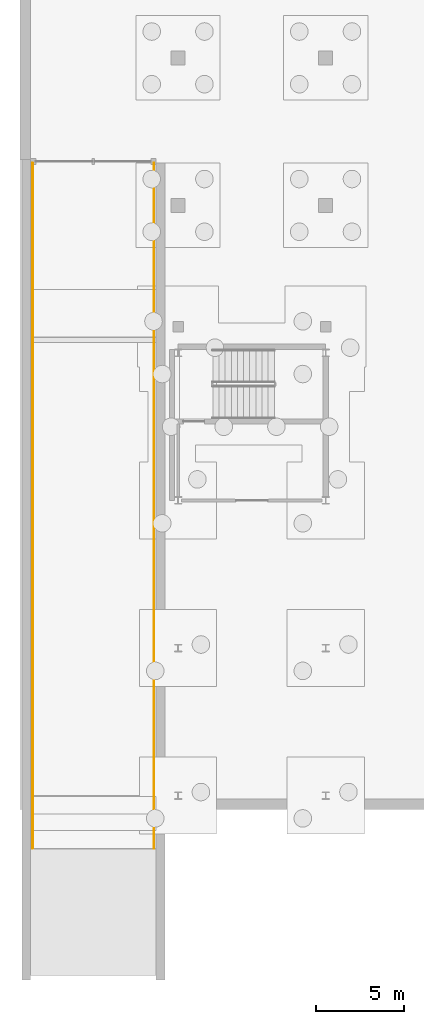
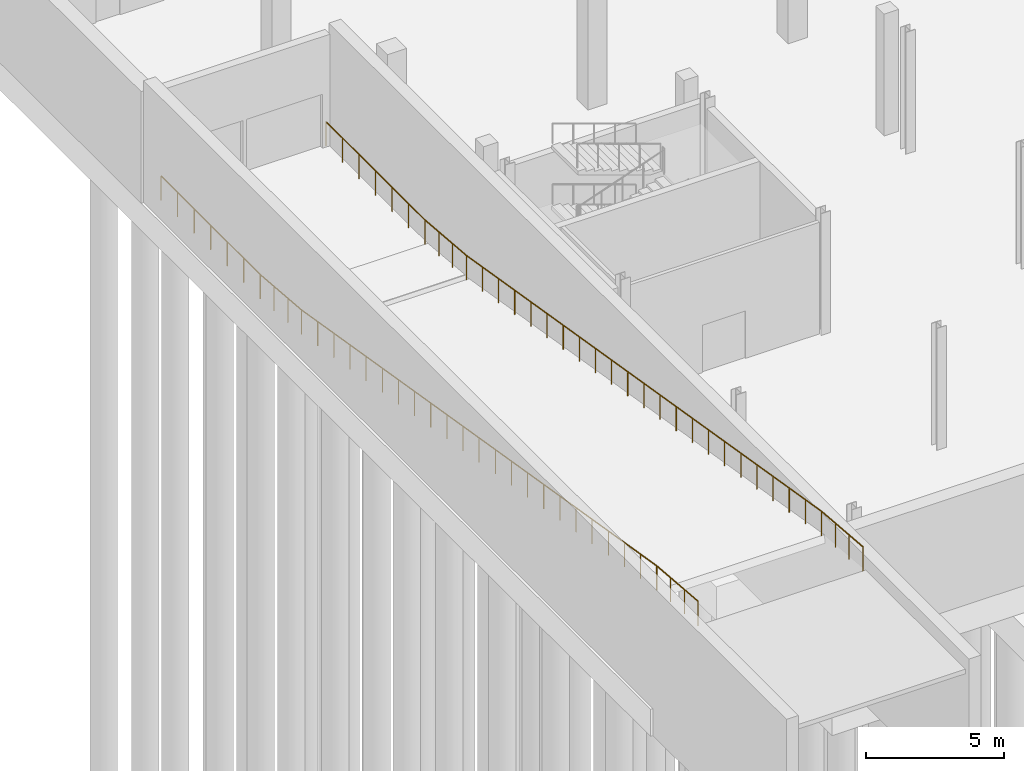
# One storey, part 24 of 29: 2 railings.
"""IFC4 building model written with IfcOpenShell, lengths in metres."""

from ifc_helpers import new_model, si_unit, direction, frame, origin, origin_2d, place, context, subcontext, project, spatial, circle, extrude, material, type_object, element, save


model = new_model("IFC4")

# Units and contexts
model_context = context("Model", 3, precision=1e-05, world=origin(), true_north=direction((0.0, 1.0)))
body_context = subcontext(model_context, "Body", "Model", "MODEL_VIEW")
ifc_project = project(units=[si_unit("LENGTHUNIT", "METRE"), si_unit("AREAUNIT", "SQUARE_METRE"), si_unit("VOLUMEUNIT", "CUBIC_METRE"), si_unit("PLANEANGLEUNIT", "RADIAN"), si_unit("MASSUNIT", "GRAM", prefix="KILO")], contexts=[model_context])

# Site, building, storey
site_placement = place(None, origin())
site = spatial("IfcSite", under=ifc_project, at=site_placement, CompositionType="ELEMENT")
building_placement = place(site_placement, origin())
building = spatial("IfcBuilding", under=site, at=building_placement, Name="Cresset Court Congress Hotel", CompositionType="ELEMENT")
storey_placement = place(building_placement, frame((0.0, 0.0, -5.39990234375)))
storey = spatial("IfcBuildingStorey", under=building, at=storey_placement, Name="B1", CompositionType="ELEMENT", Elevation=-5.39990234375)

# Railings
ifc_material = material(Name="Galvanised steel", Category="steel")
railing_type = type_object("IfcRailingType", Name="Guard 1100 steel balusters", PredefinedType="GUARDRAIL", material=ifc_material)
railing_1_placement = place(storey_placement, frame((0.1201171875, -3.0, 4.7998046875)))
element("IfcRailing", 1, at=railing_1_placement, inside=storey, type_object=railing_type, Name="Ramp guard W", PredefinedType="GUARDRAIL", context=body_context, shape_type="SweptSolid", body=[
    extrude(circle(Radius=0.02490234375, at=origin_2d()), frame((0.0, 0.0, 1.0751953125), z_axis=(0.0, 0.996545758245, -0.083045479854), x_axis=(-1.0, 0.0, 0.0)), (0.0, 0.0, 1.0), 3.010498046875),
    extrude(circle(Radius=0.02490234375, at=origin_2d()), frame((0.0, 3.0, 0.8251953125), z_axis=(0.0, 0.986395185162, -0.164391419146), x_axis=(-1.0, 0.0, 0.0)), (0.0, 0.0, 1.0), 26.156005859375),
    extrude(circle(Radius=0.02490234375, at=origin_2d()), frame((0.0, 28.800048828125, -3.474609375), z_axis=(0.0, 0.996545758245, -0.083045479854), x_axis=(-1.0, 0.0, 0.0)), (0.0, 0.0, 1.0), 3.010498046875),
    extrude(circle(Radius=0.02490234375, at=origin_2d()), frame((0.0, 31.800048828125, -3.724609375), z_axis=(0.0, 1.0, 0.0), x_axis=(-1.0, 0.0, 0.0)), (0.0, 0.0, 1.0), 7.199951171875),
    extrude(circle(Radius=0.02001953125, at=origin_2d()), origin(), (0.0, 0.0, 1.0), 1.050048828125),
    extrude(circle(Radius=0.02001953125, at=origin_2d()), frame((0.0, 1.0, -0.083251953125)), (0.0, 0.0, 1.0), 1.050048828125),
    extrude(circle(Radius=0.02001953125, at=origin_2d()), frame((0.0, 2.0, -0.166748046875)), (0.0, 0.0, 1.0), 1.050048828125),
    extrude(circle(Radius=0.02001953125, at=origin_2d()), frame((0.0, 3.0, -0.25)), (0.0, 0.0, 1.0), 1.050048828125),
    extrude(circle(Radius=0.02001953125, at=origin_2d()), frame((0.0, 4.1728515625, -0.445556640625)), (0.0, 0.0, 1.0), 1.050048828125),
    extrude(circle(Radius=0.02001953125, at=origin_2d()), frame((0.0, 5.345458984375, -0.640869140625)), (0.0, 0.0, 1.0), 1.050048828125),
    extrude(circle(Radius=0.02001953125, at=origin_2d()), frame((0.0, 6.51806640625, -0.83642578125)), (0.0, 0.0, 1.0), 1.050048828125),
    extrude(circle(Radius=0.02001953125, at=origin_2d()), frame((0.0, 7.69091796875, -1.03173828125)), (0.0, 0.0, 1.0), 1.050048828125),
    extrude(circle(Radius=0.02001953125, at=origin_2d()), frame((0.0, 8.86376953125, -1.227294921875)), (0.0, 0.0, 1.0), 1.050048828125),
    extrude(circle(Radius=0.02001953125, at=origin_2d()), frame((0.0, 10.036376953125, -1.422607421875)), (0.0, 0.0, 1.0), 1.050048828125),
    extrude(circle(Radius=0.02001953125, at=origin_2d()), frame((0.0, 11.208984375, -1.6181640625)), (0.0, 0.0, 1.0), 1.050048828125),
    extrude(circle(Radius=0.02001953125, at=origin_2d()), frame((0.0, 12.3818359375, -1.8134765625)), (0.0, 0.0, 1.0), 1.050048828125),
    extrude(circle(Radius=0.02001953125, at=origin_2d()), frame((0.0, 13.5546875, -2.009033203125)), (0.0, 0.0, 1.0), 1.050048828125),
    extrude(circle(Radius=0.02001953125, at=origin_2d()), frame((0.0, 14.727294921875, -2.204345703125)), (0.0, 0.0, 1.0), 1.050048828125),
    extrude(circle(Radius=0.02001953125, at=origin_2d()), frame((0.0, 15.89990234375, -2.39990234375)), (0.0, 0.0, 1.0), 1.050048828125),
    extrude(circle(Radius=0.02001953125, at=origin_2d()), frame((0.0, 17.07275390625, -2.595458984375)), (0.0, 0.0, 1.0), 1.050048828125),
    extrude(circle(Radius=0.02001953125, at=origin_2d()), frame((0.0, 18.24560546875, -2.790771484375)), (0.0, 0.0, 1.0), 1.050048828125),
    extrude(circle(Radius=0.02001953125, at=origin_2d()), frame((0.0, 19.418212890625, -2.986328125)), (0.0, 0.0, 1.0), 1.050048828125),
    extrude(circle(Radius=0.02001953125, at=origin_2d()), frame((0.0, 20.5908203125, -3.181640625)), (0.0, 0.0, 1.0), 1.050048828125),
    extrude(circle(Radius=0.02001953125, at=origin_2d()), frame((0.0, 21.763671875, -3.377197265625)), (0.0, 0.0, 1.0), 1.050048828125),
    extrude(circle(Radius=0.02001953125, at=origin_2d()), frame((0.0, 22.9365234375, -3.572509765625)), (0.0, 0.0, 1.0), 1.050048828125),
    extrude(circle(Radius=0.02001953125, at=origin_2d()), frame((0.0, 24.109130859375, -3.76806640625)), (0.0, 0.0, 1.0), 1.050048828125),
    extrude(circle(Radius=0.02001953125, at=origin_2d()), frame((0.0, 25.28173828125, -3.96337890625)), (0.0, 0.0, 1.0), 1.050048828125),
    extrude(circle(Radius=0.02001953125, at=origin_2d()), frame((0.0, 26.45458984375, -4.158935546875)), (0.0, 0.0, 1.0), 1.050048828125),
    extrude(circle(Radius=0.02001953125, at=origin_2d()), frame((0.0, 27.62744140625, -4.354248046875)), (0.0, 0.0, 1.0), 1.050048828125),
    extrude(circle(Radius=0.02001953125, at=origin_2d()), frame((0.0, 28.800048828125, -4.5498046875)), (0.0, 0.0, 1.0), 1.050048828125),
    extrude(circle(Radius=0.02001953125, at=origin_2d()), frame((0.0, 29.800048828125, -4.633056640625)), (0.0, 0.0, 1.0), 1.050048828125),
    extrude(circle(Radius=0.02001953125, at=origin_2d()), frame((0.0, 30.800048828125, -4.716552734375)), (0.0, 0.0, 1.0), 1.050048828125),
    extrude(circle(Radius=0.02001953125, at=origin_2d()), frame((0.0, 31.800048828125, -4.7998046875)), (0.0, 0.0, 1.0), 1.050048828125),
    extrude(circle(Radius=0.02001953125, at=origin_2d()), frame((0.0, 33.0, -4.7998046875)), (0.0, 0.0, 1.0), 1.050048828125),
    extrude(circle(Radius=0.02001953125, at=origin_2d()), frame((0.0, 34.199951171875, -4.7998046875)), (0.0, 0.0, 1.0), 1.050048828125),
    extrude(circle(Radius=0.02001953125, at=origin_2d()), frame((0.0, 35.39990234375, -4.7998046875)), (0.0, 0.0, 1.0), 1.050048828125),
    extrude(circle(Radius=0.02001953125, at=origin_2d()), frame((0.0, 36.60009765625, -4.7998046875)), (0.0, 0.0, 1.0), 1.050048828125),
    extrude(circle(Radius=0.02001953125, at=origin_2d()), frame((0.0, 37.800048828125, -4.7998046875)), (0.0, 0.0, 1.0), 1.050048828125),
    extrude(circle(Radius=0.02001953125, at=origin_2d()), frame((0.0, 39.0, -4.7998046875)), (0.0, 0.0, 1.0), 1.050048828125),
])
railing_2_placement = place(storey_placement, frame((7.030029296875, -3.0, 4.7998046875)))
element("IfcRailing", 2, at=railing_2_placement, inside=storey, type_object=railing_type, Name="Ramp guard E", PredefinedType="GUARDRAIL", context=body_context, shape_type="SweptSolid", body=[
    extrude(circle(Radius=0.02490234375, at=origin_2d()), frame((0.0, 0.0, 1.0751953125), z_axis=(0.0, 0.996545758245, -0.083045479854), x_axis=(-1.0, 0.0, 0.0)), (0.0, 0.0, 1.0), 3.010498046875),
    extrude(circle(Radius=0.02490234375, at=origin_2d()), frame((0.0, 3.0, 0.8251953125), z_axis=(0.0, 0.986395185162, -0.164391419146), x_axis=(-1.0, 0.0, 0.0)), (0.0, 0.0, 1.0), 26.156005859375),
    extrude(circle(Radius=0.02490234375, at=origin_2d()), frame((0.0, 28.800048828125, -3.474609375), z_axis=(0.0, 0.996545758245, -0.083045479854), x_axis=(-1.0, 0.0, 0.0)), (0.0, 0.0, 1.0), 3.010498046875),
    extrude(circle(Radius=0.02490234375, at=origin_2d()), frame((0.0, 31.800048828125, -3.724609375), z_axis=(0.0, 1.0, 0.0), x_axis=(-1.0, 0.0, 0.0)), (0.0, 0.0, 1.0), 7.199951171875),
    extrude(circle(Radius=0.02001953125, at=origin_2d()), origin(), (0.0, 0.0, 1.0), 1.050048828125),
    extrude(circle(Radius=0.02001953125, at=origin_2d()), frame((0.0, 1.0, -0.083251953125)), (0.0, 0.0, 1.0), 1.050048828125),
    extrude(circle(Radius=0.02001953125, at=origin_2d()), frame((0.0, 2.0, -0.166748046875)), (0.0, 0.0, 1.0), 1.050048828125),
    extrude(circle(Radius=0.02001953125, at=origin_2d()), frame((0.0, 3.0, -0.25)), (0.0, 0.0, 1.0), 1.050048828125),
    extrude(circle(Radius=0.02001953125, at=origin_2d()), frame((0.0, 4.1728515625, -0.445556640625)), (0.0, 0.0, 1.0), 1.050048828125),
    extrude(circle(Radius=0.02001953125, at=origin_2d()), frame((0.0, 5.345458984375, -0.640869140625)), (0.0, 0.0, 1.0), 1.050048828125),
    extrude(circle(Radius=0.02001953125, at=origin_2d()), frame((0.0, 6.51806640625, -0.83642578125)), (0.0, 0.0, 1.0), 1.050048828125),
    extrude(circle(Radius=0.02001953125, at=origin_2d()), frame((0.0, 7.69091796875, -1.03173828125)), (0.0, 0.0, 1.0), 1.050048828125),
    extrude(circle(Radius=0.02001953125, at=origin_2d()), frame((0.0, 8.86376953125, -1.227294921875)), (0.0, 0.0, 1.0), 1.050048828125),
    extrude(circle(Radius=0.02001953125, at=origin_2d()), frame((0.0, 10.036376953125, -1.422607421875)), (0.0, 0.0, 1.0), 1.050048828125),
    extrude(circle(Radius=0.02001953125, at=origin_2d()), frame((0.0, 11.208984375, -1.6181640625)), (0.0, 0.0, 1.0), 1.050048828125),
    extrude(circle(Radius=0.02001953125, at=origin_2d()), frame((0.0, 12.3818359375, -1.8134765625)), (0.0, 0.0, 1.0), 1.050048828125),
    extrude(circle(Radius=0.02001953125, at=origin_2d()), frame((0.0, 13.5546875, -2.009033203125)), (0.0, 0.0, 1.0), 1.050048828125),
    extrude(circle(Radius=0.02001953125, at=origin_2d()), frame((0.0, 14.727294921875, -2.204345703125)), (0.0, 0.0, 1.0), 1.050048828125),
    extrude(circle(Radius=0.02001953125, at=origin_2d()), frame((0.0, 15.89990234375, -2.39990234375)), (0.0, 0.0, 1.0), 1.050048828125),
    extrude(circle(Radius=0.02001953125, at=origin_2d()), frame((0.0, 17.07275390625, -2.595458984375)), (0.0, 0.0, 1.0), 1.050048828125),
    extrude(circle(Radius=0.02001953125, at=origin_2d()), frame((0.0, 18.24560546875, -2.790771484375)), (0.0, 0.0, 1.0), 1.050048828125),
    extrude(circle(Radius=0.02001953125, at=origin_2d()), frame((0.0, 19.418212890625, -2.986328125)), (0.0, 0.0, 1.0), 1.050048828125),
    extrude(circle(Radius=0.02001953125, at=origin_2d()), frame((0.0, 20.5908203125, -3.181640625)), (0.0, 0.0, 1.0), 1.050048828125),
    extrude(circle(Radius=0.02001953125, at=origin_2d()), frame((0.0, 21.763671875, -3.377197265625)), (0.0, 0.0, 1.0), 1.050048828125),
    extrude(circle(Radius=0.02001953125, at=origin_2d()), frame((0.0, 22.9365234375, -3.572509765625)), (0.0, 0.0, 1.0), 1.050048828125),
    extrude(circle(Radius=0.02001953125, at=origin_2d()), frame((0.0, 24.109130859375, -3.76806640625)), (0.0, 0.0, 1.0), 1.050048828125),
    extrude(circle(Radius=0.02001953125, at=origin_2d()), frame((0.0, 25.28173828125, -3.96337890625)), (0.0, 0.0, 1.0), 1.050048828125),
    extrude(circle(Radius=0.02001953125, at=origin_2d()), frame((0.0, 26.45458984375, -4.158935546875)), (0.0, 0.0, 1.0), 1.050048828125),
    extrude(circle(Radius=0.02001953125, at=origin_2d()), frame((0.0, 27.62744140625, -4.354248046875)), (0.0, 0.0, 1.0), 1.050048828125),
    extrude(circle(Radius=0.02001953125, at=origin_2d()), frame((0.0, 28.800048828125, -4.5498046875)), (0.0, 0.0, 1.0), 1.050048828125),
    extrude(circle(Radius=0.02001953125, at=origin_2d()), frame((0.0, 29.800048828125, -4.633056640625)), (0.0, 0.0, 1.0), 1.050048828125),
    extrude(circle(Radius=0.02001953125, at=origin_2d()), frame((0.0, 30.800048828125, -4.716552734375)), (0.0, 0.0, 1.0), 1.050048828125),
    extrude(circle(Radius=0.02001953125, at=origin_2d()), frame((0.0, 31.800048828125, -4.7998046875)), (0.0, 0.0, 1.0), 1.050048828125),
    extrude(circle(Radius=0.02001953125, at=origin_2d()), frame((0.0, 33.0, -4.7998046875)), (0.0, 0.0, 1.0), 1.050048828125),
    extrude(circle(Radius=0.02001953125, at=origin_2d()), frame((0.0, 34.199951171875, -4.7998046875)), (0.0, 0.0, 1.0), 1.050048828125),
    extrude(circle(Radius=0.02001953125, at=origin_2d()), frame((0.0, 35.39990234375, -4.7998046875)), (0.0, 0.0, 1.0), 1.050048828125),
    extrude(circle(Radius=0.02001953125, at=origin_2d()), frame((0.0, 36.60009765625, -4.7998046875)), (0.0, 0.0, 1.0), 1.050048828125),
    extrude(circle(Radius=0.02001953125, at=origin_2d()), frame((0.0, 37.800048828125, -4.7998046875)), (0.0, 0.0, 1.0), 1.050048828125),
    extrude(circle(Radius=0.02001953125, at=origin_2d()), frame((0.0, 39.0, -4.7998046875)), (0.0, 0.0, 1.0), 1.050048828125),
])

save(model, "model.ifc")
